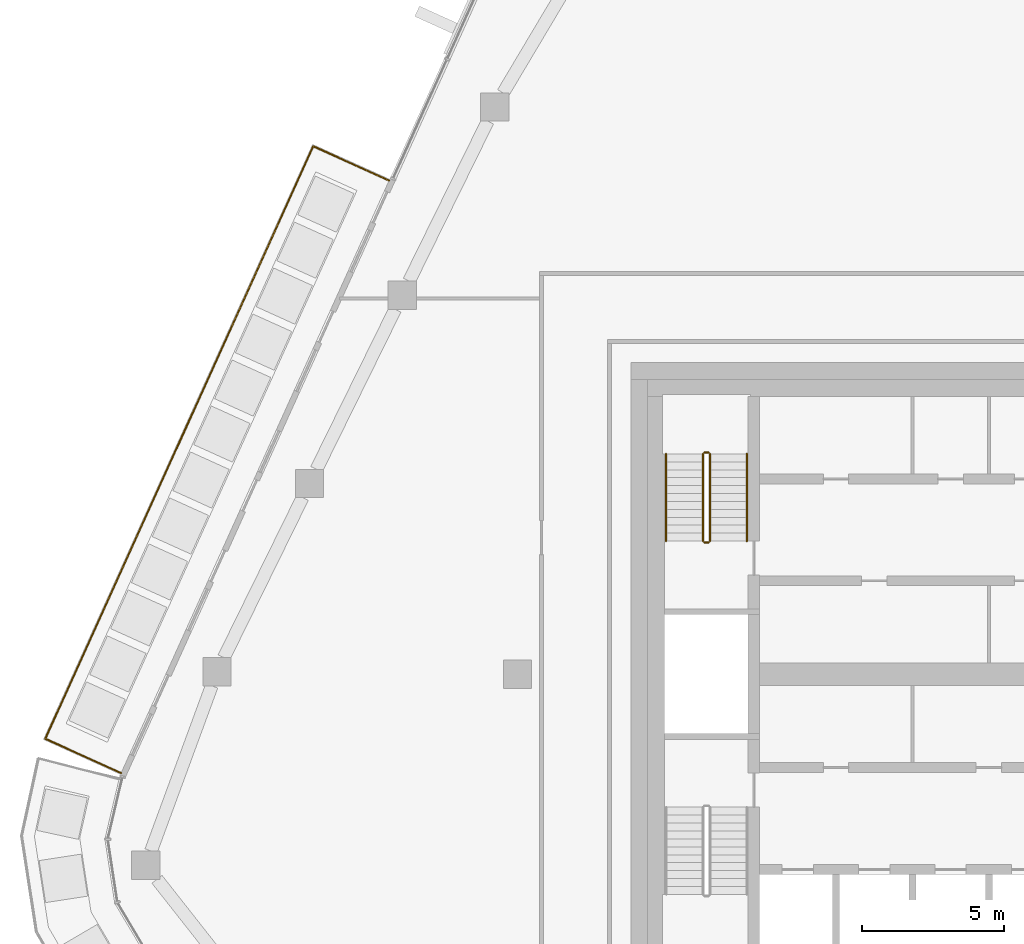
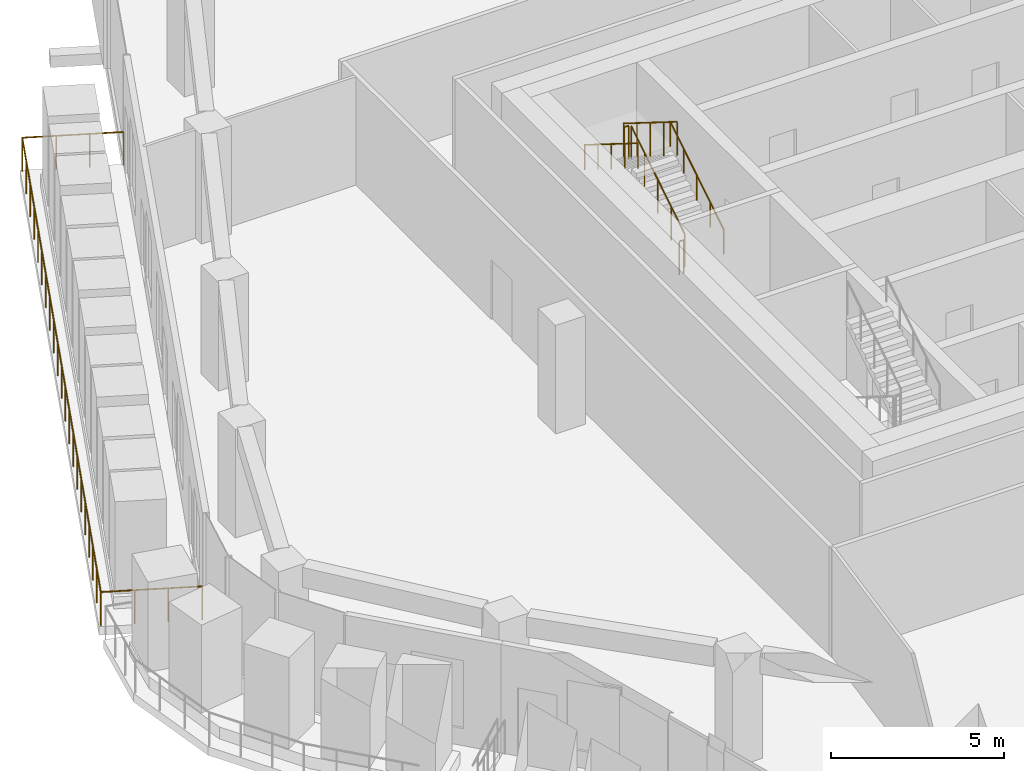
# One storey, part 20 of 23: 7 railings.
"""IFC4 building model written with IfcOpenShell, lengths in metres."""

from ifc_helpers import new_model, si_unit, direction, frame, origin, origin_2d, place, context, subcontext, project, spatial, circle, extrude, material, type_object, element, save


model = new_model("IFC4")

# Units and contexts
model_context = context("Model", 3, precision=1e-05, world=origin(), true_north=direction((0.0, 1.0)))
body_context = subcontext(model_context, "Body", "Model", "MODEL_VIEW")
ifc_project = project(units=[si_unit("LENGTHUNIT", "METRE"), si_unit("AREAUNIT", "SQUARE_METRE"), si_unit("VOLUMEUNIT", "CUBIC_METRE"), si_unit("PLANEANGLEUNIT", "RADIAN"), si_unit("MASSUNIT", "GRAM", prefix="KILO")], contexts=[model_context])

# Site, building, storey
site_placement = place(None, origin())
site = spatial("IfcSite", under=ifc_project, at=site_placement, CompositionType="ELEMENT")
building_placement = place(site_placement, origin())
building = spatial("IfcBuilding", under=site, at=building_placement, Name="Dongbaek Canopy Tower", CompositionType="ELEMENT")
storey_placement = place(building_placement, frame((0.0, 0.0, 323.60009765625)))
storey = spatial("IfcBuildingStorey", under=building, at=storey_placement, Name="L69", CompositionType="ELEMENT", Elevation=323.60009765625)

# Railings
ifc_material_1 = material(Name="Stainless steel", Category="steel")
railing_type_1 = type_object("IfcRailingType", Name="Balcony balustrade 1200", PredefinedType="BALUSTRADE", material=ifc_material_1)
railing_1_placement = place(storey_placement, frame((-22.535400390625, 17.43603515625, 0.0)))
element("IfcRailing", 1, at=railing_1_placement, inside=storey, type_object=railing_type_1, Name="Balcony guard L69 2", PredefinedType="BALUSTRADE", context=body_context, shape_type="SweptSolid", body=[
    extrude(circle(Radius=0.02392578125, at=origin_2d()), frame((0.0, 0.0, 1.17578125), z_axis=(-0.911124256747, 0.412131761414, 0.0), x_axis=(-0.412131761414, -0.911124256747, 0.0)), (0.0, 0.0, 1.0), 2.93994140625),
    extrude(circle(Radius=0.02392578125, at=origin_2d()), frame((-2.6787109375, 1.211669921875, 1.17578125), z_axis=(-0.412124594667, -0.911127498471, 0.0), x_axis=(0.911127498471, -0.412124594667, 0.0)), (0.0, 0.0, 1.0), 22.97021484375),
    extrude(circle(Radius=0.02392578125, at=origin_2d()), frame((-12.145263671875, -19.717041015625, 1.17578125), z_axis=(0.911124256747, -0.412131761414, 0.0), x_axis=(0.412131761414, 0.911124256747, 0.0)), (0.0, 0.0, 1.0), 2.93994140625),
    extrude(circle(Radius=0.02099609375, at=origin_2d()), origin(), (0.0, 0.0, 1.0), 1.15185546875),
    extrude(circle(Radius=0.02099609375, at=origin_2d()), frame((-0.892822265625, 0.40380859375, 0.0)), (0.0, 0.0, 1.0), 1.15185546875),
    extrude(circle(Radius=0.02099609375, at=origin_2d()), frame((-1.785888671875, 0.807861328125, 0.0)), (0.0, 0.0, 1.0), 1.15185546875),
    extrude(circle(Radius=0.02099609375, at=origin_2d()), frame((-2.6787109375, 1.211669921875, 0.0)), (0.0, 0.0, 1.0), 1.15185546875),
    extrude(circle(Radius=0.02099609375, at=origin_2d()), frame((-3.152099609375, 0.165283203125, 0.0)), (0.0, 0.0, 1.0), 1.15185546875),
    extrude(circle(Radius=0.02099609375, at=origin_2d()), frame((-3.62548828125, -0.881103515625, 0.0)), (0.0, 0.0, 1.0), 1.15185546875),
    extrude(circle(Radius=0.02099609375, at=origin_2d()), frame((-4.0986328125, -1.927734375, 0.0)), (0.0, 0.0, 1.0), 1.15185546875),
    extrude(circle(Radius=0.02099609375, at=origin_2d()), frame((-4.572021484375, -2.97412109375, 0.0)), (0.0, 0.0, 1.0), 1.15185546875),
    extrude(circle(Radius=0.02099609375, at=origin_2d()), frame((-5.04541015625, -4.0205078125, 0.0)), (0.0, 0.0, 1.0), 1.15185546875),
    extrude(circle(Radius=0.02099609375, at=origin_2d()), frame((-5.5185546875, -5.06689453125, 0.0)), (0.0, 0.0, 1.0), 1.15185546875),
    extrude(circle(Radius=0.02099609375, at=origin_2d()), frame((-5.991943359375, -6.11328125, 0.0)), (0.0, 0.0, 1.0), 1.15185546875),
    extrude(circle(Radius=0.02099609375, at=origin_2d()), frame((-6.46533203125, -7.159912109375, 0.0)), (0.0, 0.0, 1.0), 1.15185546875),
    extrude(circle(Radius=0.02099609375, at=origin_2d()), frame((-6.938720703125, -8.206298828125, 0.0)), (0.0, 0.0, 1.0), 1.15185546875),
    extrude(circle(Radius=0.02099609375, at=origin_2d()), frame((-7.412109375, -9.252685546875, 0.0)), (0.0, 0.0, 1.0), 1.15185546875),
    extrude(circle(Radius=0.02099609375, at=origin_2d()), frame((-7.88525390625, -10.299072265625, 0.0)), (0.0, 0.0, 1.0), 1.15185546875),
    extrude(circle(Radius=0.02099609375, at=origin_2d()), frame((-8.358642578125, -11.345458984375, 0.0)), (0.0, 0.0, 1.0), 1.15185546875),
    extrude(circle(Radius=0.02099609375, at=origin_2d()), frame((-8.83203125, -12.39208984375, 0.0)), (0.0, 0.0, 1.0), 1.15185546875),
    extrude(circle(Radius=0.02099609375, at=origin_2d()), frame((-9.30517578125, -13.4384765625, 0.0)), (0.0, 0.0, 1.0), 1.15185546875),
    extrude(circle(Radius=0.02099609375, at=origin_2d()), frame((-9.778564453125, -14.48486328125, 0.0)), (0.0, 0.0, 1.0), 1.15185546875),
    extrude(circle(Radius=0.02099609375, at=origin_2d()), frame((-10.251953125, -15.53125, 0.0)), (0.0, 0.0, 1.0), 1.15185546875),
    extrude(circle(Radius=0.02099609375, at=origin_2d()), frame((-10.725341796875, -16.57763671875, 0.0)), (0.0, 0.0, 1.0), 1.15185546875),
    extrude(circle(Radius=0.02099609375, at=origin_2d()), frame((-11.19873046875, -17.624267578125, 0.0)), (0.0, 0.0, 1.0), 1.15185546875),
    extrude(circle(Radius=0.02099609375, at=origin_2d()), frame((-11.671875, -18.670654296875, 0.0)), (0.0, 0.0, 1.0), 1.15185546875),
    extrude(circle(Radius=0.02099609375, at=origin_2d()), frame((-12.145263671875, -19.717041015625, 0.0)), (0.0, 0.0, 1.0), 1.15185546875),
    extrude(circle(Radius=0.02099609375, at=origin_2d()), frame((-11.25244140625, -20.120849609375, 0.0)), (0.0, 0.0, 1.0), 1.15185546875),
    extrude(circle(Radius=0.02099609375, at=origin_2d()), frame((-10.359375, -20.52490234375, 0.0)), (0.0, 0.0, 1.0), 1.15185546875),
    extrude(circle(Radius=0.02099609375, at=origin_2d()), frame((-9.466552734375, -20.9287109375, 0.0)), (0.0, 0.0, 1.0), 1.15185546875),
])
ifc_material_2 = material(Name="Stainless steel tube and balusters", Category="steel")
railing_type_2 = type_object("IfcRailingType", Name="Stair guard 1200", PredefinedType="GUARDRAIL", material=ifc_material_2)
railing_2_placement = place(storey_placement, frame((-11.199951171875, 4.699951171875, 0.1748046875)))
element("IfcRailing", 2, at=railing_2_placement, inside=storey, type_object=railing_type_2, Name="L69 ST-C stair guard 1", PredefinedType="GUARDRAIL", context=body_context, shape_type="SweptSolid", body=[
    extrude(circle(Radius=0.02392578125, at=origin_2d()), frame((0.0, 0.0, 1.17578125), z_axis=(0.0, 0.847998304005, 0.529998940003), x_axis=(-1.0, 0.0, 0.0)), (0.0, 0.0, 1.0), 3.632080078125),
    extrude(circle(Radius=0.02099609375, at=origin_2d()), origin(), (0.0, 0.0, 1.0), 1.15185546875),
    extrude(circle(Radius=0.02099609375, at=origin_2d()), frame((0.0, 0.77001953125, 0.481201171875)), (0.0, 0.0, 1.0), 1.15185546875),
    extrude(circle(Radius=0.02099609375, at=origin_2d()), frame((0.0, 1.5400390625, 0.96240234375)), (0.0, 0.0, 1.0), 1.15185546875),
    extrude(circle(Radius=0.02099609375, at=origin_2d()), frame((0.0, 2.31005859375, 1.44384765625)), (0.0, 0.0, 1.0), 1.15185546875),
    extrude(circle(Radius=0.02099609375, at=origin_2d()), frame((0.0, 3.080078125, 1.925048828125)), (0.0, 0.0, 1.0), 1.15185546875),
])
railing_3_placement = place(storey_placement, frame((-11.25, 7.830078125, 2.099853515625)))
element("IfcRailing", 3, at=railing_3_placement, inside=storey, type_object=railing_type_2, Name="L69 ST-C stair guard 2", PredefinedType="GUARDRAIL", context=body_context, shape_type="SweptSolid", body=[
    extrude(circle(Radius=0.02392578125, at=origin_2d()), frame((0.0, 0.0, 1.17578125), z_axis=(-1.0, 0.0, 0.0), x_axis=(0.0, -1.0, 0.0)), (0.0, 0.0, 1.0), 0.14990234375),
    extrude(circle(Radius=0.02099609375, at=origin_2d()), origin(), (0.0, 0.0, 1.0), 1.15185546875),
    extrude(circle(Radius=0.02099609375, at=origin_2d()), frame((-0.14990234375, 0.0, 0.0)), (0.0, 0.0, 1.0), 1.15185546875),
])
railing_4_placement = place(storey_placement, frame((-11.449951171875, 7.780029296875, 2.27490234375)))
element("IfcRailing", 4, at=railing_4_placement, inside=storey, type_object=railing_type_2, Name="L69 ST-C stair guard 3", PredefinedType="GUARDRAIL", context=body_context, shape_type="SweptSolid", body=[
    extrude(circle(Radius=0.02392578125, at=origin_2d()), frame((0.0, 0.0, 1.17578125), z_axis=(0.0, -0.847998304005, 0.529998940003), x_axis=(1.0, 0.0, 0.0)), (0.0, 0.0, 1.0), 3.632080078125),
    extrude(circle(Radius=0.02099609375, at=origin_2d()), origin(), (0.0, 0.0, 1.0), 1.15185546875),
    extrude(circle(Radius=0.02099609375, at=origin_2d()), frame((0.0, -0.77001953125, 0.481201171875)), (0.0, 0.0, 1.0), 1.15185546875),
    extrude(circle(Radius=0.02099609375, at=origin_2d()), frame((0.0, -1.5400390625, 0.96240234375)), (0.0, 0.0, 1.0), 1.15185546875),
    extrude(circle(Radius=0.02099609375, at=origin_2d()), frame((0.0, -2.31005859375, 1.44384765625)), (0.0, 0.0, 1.0), 1.15185546875),
    extrude(circle(Radius=0.02099609375, at=origin_2d()), frame((0.0, -3.080078125, 1.925048828125)), (0.0, 0.0, 1.0), 1.15185546875),
])
railing_5_placement = place(storey_placement, frame((-11.25, 4.64990234375, 0.0)))
element("IfcRailing", 5, at=railing_5_placement, inside=storey, type_object=railing_type_2, Name="L69 ST-C stair guard 4", PredefinedType="GUARDRAIL", context=body_context, shape_type="SweptSolid", body=[
    extrude(circle(Radius=0.02392578125, at=origin_2d()), frame((0.0, 0.0, 1.17578125), z_axis=(-1.0, 0.0, 0.0), x_axis=(0.0, -1.0, 0.0)), (0.0, 0.0, 1.0), 0.14990234375),
    extrude(circle(Radius=0.02099609375, at=origin_2d()), origin(), (0.0, 0.0, 1.0), 1.15185546875),
    extrude(circle(Radius=0.02099609375, at=origin_2d()), frame((-0.14990234375, 0.0, 0.0)), (0.0, 0.0, 1.0), 1.15185546875),
])
ifc_material_3 = material(Name="Stainless steel tube", Category="steel")
railing_type_3 = type_object("IfcRailingType", Name="Stair handrail 900", PredefinedType="HANDRAIL", material=ifc_material_3)
railing_6_placement = place(storey_placement, frame((-9.89990234375, 4.699951171875, 0.1748046875)))
element("IfcRailing", 6, at=railing_6_placement, inside=storey, type_object=railing_type_3, Name="L69 ST-C stair handrail 1", PredefinedType="HANDRAIL", context=body_context, shape_type="SweptSolid", body=[
    extrude(circle(Radius=0.02392578125, at=origin_2d()), frame((0.0, 0.0, 0.8759765625), z_axis=(0.0, 0.847998304005, 0.529998940003), x_axis=(-1.0, 0.0, 0.0)), (0.0, 0.0, 1.0), 3.632080078125),
    extrude(circle(Radius=0.02099609375, at=origin_2d()), origin(), (0.0, 0.0, 1.0), 0.851806640625),
    extrude(circle(Radius=0.02099609375, at=origin_2d()), frame((0.0, 0.77001953125, 0.481201171875)), (0.0, 0.0, 1.0), 0.851806640625),
    extrude(circle(Radius=0.02099609375, at=origin_2d()), frame((0.0, 1.5400390625, 0.96240234375)), (0.0, 0.0, 1.0), 0.851806640625),
    extrude(circle(Radius=0.02099609375, at=origin_2d()), frame((0.0, 2.31005859375, 1.44384765625)), (0.0, 0.0, 1.0), 0.851806640625),
    extrude(circle(Radius=0.02099609375, at=origin_2d()), frame((0.0, 3.080078125, 1.925048828125)), (0.0, 0.0, 1.0), 0.851806640625),
])
railing_7_placement = place(storey_placement, frame((-12.75, 7.780029296875, 2.27490234375)))
element("IfcRailing", 7, at=railing_7_placement, inside=storey, type_object=railing_type_3, Name="L69 ST-C stair handrail 2", PredefinedType="HANDRAIL", context=body_context, shape_type="SweptSolid", body=[
    extrude(circle(Radius=0.02392578125, at=origin_2d()), frame((0.0, 0.0, 0.8759765625), z_axis=(0.0, -0.847998304005, 0.529998940003), x_axis=(1.0, 0.0, 0.0)), (0.0, 0.0, 1.0), 3.632080078125),
    extrude(circle(Radius=0.02099609375, at=origin_2d()), origin(), (0.0, 0.0, 1.0), 0.851806640625),
    extrude(circle(Radius=0.02099609375, at=origin_2d()), frame((0.0, -0.77001953125, 0.481201171875)), (0.0, 0.0, 1.0), 0.851806640625),
    extrude(circle(Radius=0.02099609375, at=origin_2d()), frame((0.0, -1.5400390625, 0.96240234375)), (0.0, 0.0, 1.0), 0.851806640625),
    extrude(circle(Radius=0.02099609375, at=origin_2d()), frame((0.0, -2.31005859375, 1.44384765625)), (0.0, 0.0, 1.0), 0.851806640625),
    extrude(circle(Radius=0.02099609375, at=origin_2d()), frame((0.0, -3.080078125, 1.925048828125)), (0.0, 0.0, 1.0), 0.851806640625),
])

save(model, "model.ifc")
